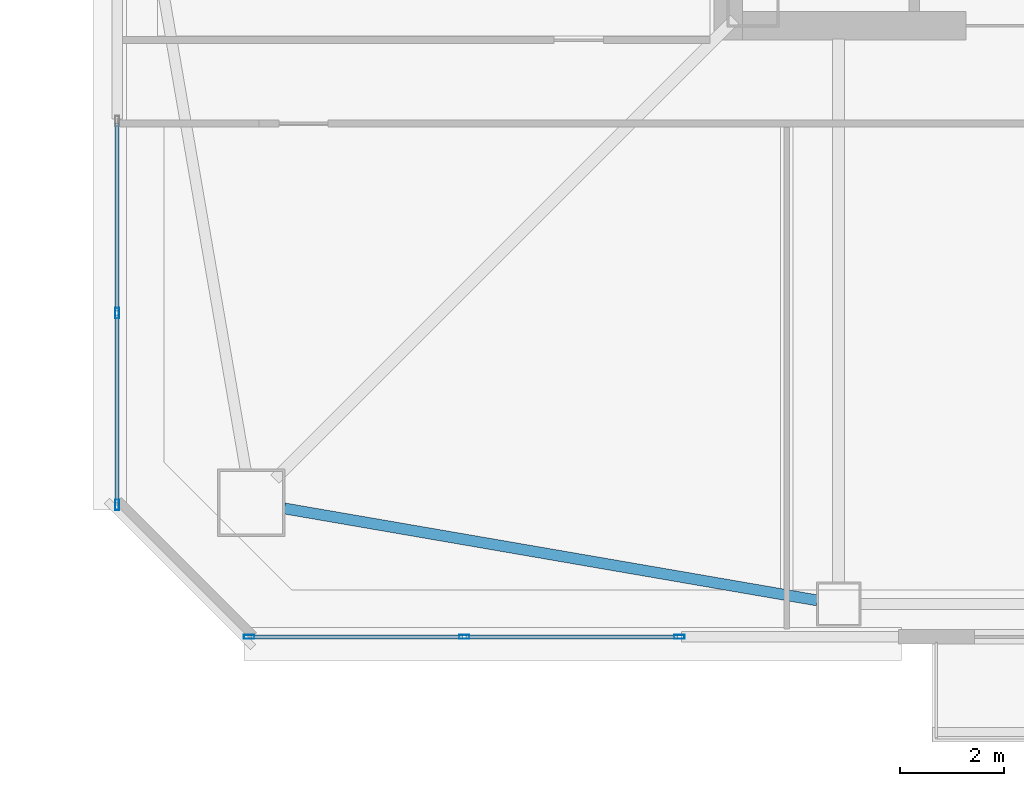
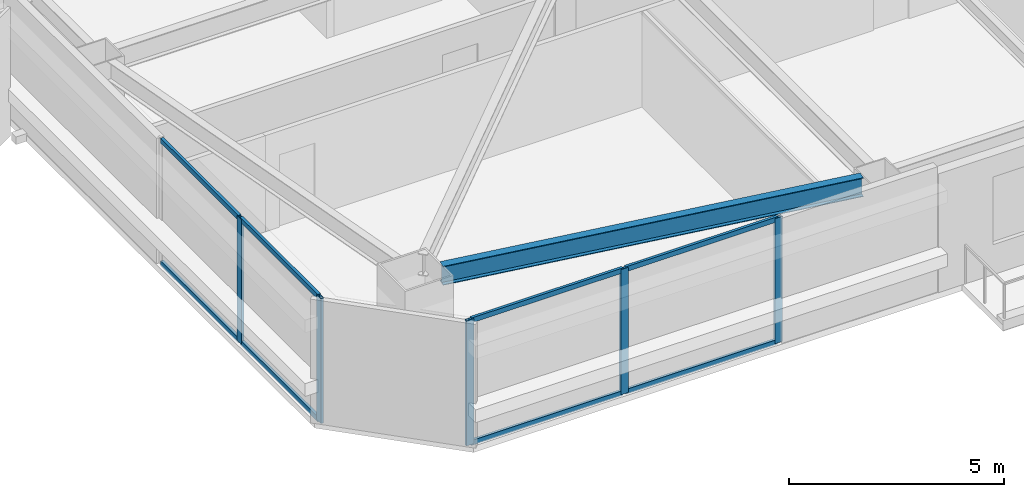
# One storey, part 3 of 48: 13 members, 1 beam, 2 elements without a shape of their own.
"""IFC4 building model written with IfcOpenShell, lengths in metres."""

from ifc_helpers import new_model, si_unit, direction, frame, origin, origin_2d, place, context, subcontext, project, spatial, hollow_rectangle, i_section, extrude, material, material_profile, profile_set, type_object, element, aggregate, save


model = new_model("IFC4")

# Units and contexts
model_context = context("Model", 3, precision=1e-05, world=origin(), true_north=direction((0.0, 1.0)))
body_context = subcontext(model_context, "Body", "Model", "MODEL_VIEW")
ifc_project = project(units=[si_unit("LENGTHUNIT", "METRE"), si_unit("AREAUNIT", "SQUARE_METRE"), si_unit("VOLUMEUNIT", "CUBIC_METRE"), si_unit("PLANEANGLEUNIT", "RADIAN"), si_unit("MASSUNIT", "GRAM", prefix="KILO")], contexts=[model_context])

# Site, building, storey
site_placement = place(None, origin())
site = spatial("IfcSite", under=ifc_project, at=site_placement, CompositionType="ELEMENT")
building_placement = place(site_placement, origin())
building = spatial("IfcBuilding", under=site, at=building_placement, Name="Tashvorn Skyway Center", CompositionType="ELEMENT")
storey_placement = place(building_placement, frame((0.0, 0.0, 125.050048828125)))
storey = spatial("IfcBuildingStorey", under=building, at=storey_placement, Name="L33", CompositionType="ELEMENT", Elevation=125.050048828125)

# Beam
ifc_material_1 = material(Name="Steel ASTM A992 Grade 50", Category="steel")
ifc_material_profile_1 = material_profile(ifc_material_1, i_section(OverallWidth=0.2109375, OverallDepth=0.5390625, WebThickness=0.01171875, FlangeThickness=0.018798828125, at=origin_2d()), Name="W21X73")
ifc_profile_set_1 = profile_set([ifc_material_profile_1], Name="Steel ASTM A992 Grade 50")
beam_type = type_object("IfcBeamType", Name="BM-SPANDREL-W21X73", PredefinedType="SPANDREL", material=ifc_profile_set_1)
beam_placement = place(storey_placement, frame((25.935546875, 15.1904296875, 3.100341796875), z_axis=(0.985432458462, -0.170067250846, 0.0), x_axis=(0.170067250846, 0.985432458462, 0.0)))
element("IfcBeam", 1, at=beam_placement, inside=storey, type_object=beam_type, Name="Tower 1 L33 Spandrel Beam 01", PredefinedType="SPANDREL", context=body_context, shape_type="SweptSolid", body=[
    extrude(i_section(OverallWidth=0.2109375, OverallDepth=0.5390625, WebThickness=0.01171875, FlangeThickness=0.018798828125, at=origin_2d()), origin(), (0.0, 0.0, 1.0), 10.402099609375),
])

# Curtain wall, members
ifc_material_2 = material(Name="Thermally broken bronze-anodized aluminium 6063-T6", Category="aluminium")
curtain_wall_type = type_object("IfcCurtainWallType", Name="CW-CW-Z3", PredefinedType="NOTDEFINED", material=ifc_material_2)
curtain_wall_1_placement = place(storey_placement, origin())
curtain_wall_1 = element("IfcCurtainWall", 2, at=curtain_wall_1_placement, inside=storey, type_object=curtain_wall_type, Name="Tower 1 L33 South Curtain Wall R Glazing Group 1", PredefinedType="NOTDEFINED")
ifc_material_profile_2 = material_profile(ifc_material_2, hollow_rectangle(XDim=0.074951171875, YDim=0.199951171875, WallThickness=0.00439453125, at=origin_2d()), Name="ALU-MULL-75x200")
ifc_profile_set_2 = profile_set([ifc_material_profile_2], Name="Thermally broken bronze-anodized aluminium 6063-T6")
member_type_1 = type_object("IfcMemberType", Name="CWM-CW-Z3", PredefinedType="MULLION", material=ifc_profile_set_2)
member_1_placement = place(storey_placement, frame((33.535888671875, 12.719970703125, 0.0), z_axis=(0.0, 0.0, 1.0), x_axis=(0.0, -1.0, 0.0)))
member_1 = element("IfcMember", 3, at=member_1_placement, type_object=member_type_1, Name="CW-Z3 mullion 1", PredefinedType="MULLION", context=body_context, shape_type="SweptSolid", body=[
    extrude(hollow_rectangle(XDim=0.074951171875, YDim=0.199951171875, WallThickness=0.00439453125, at=origin_2d()), origin(), (0.0, 0.0, 1.0), 3.550048828125),
])
member_2_placement = place(storey_placement, frame((29.396728515625, 12.719970703125, 0.0), z_axis=(0.0, 0.0, 1.0), x_axis=(0.0, -1.0, 0.0)))
member_2 = element("IfcMember", 4, at=member_2_placement, type_object=member_type_1, Name="CW-Z3 mullion 2", PredefinedType="MULLION", context=body_context, shape_type="SweptSolid", body=[
    extrude(hollow_rectangle(XDim=0.074951171875, YDim=0.199951171875, WallThickness=0.00439453125, at=origin_2d()), origin(), (0.0, 0.0, 1.0), 3.550048828125),
])
member_3_placement = place(storey_placement, frame((25.257568359375, 12.719970703125, 0.0), z_axis=(0.0, 0.0, 1.0), x_axis=(0.0, -1.0, 0.0)))
member_3 = element("IfcMember", 5, at=member_3_placement, type_object=member_type_1, Name="CW-Z3 mullion 3", PredefinedType="MULLION", context=body_context, shape_type="SweptSolid", body=[
    extrude(hollow_rectangle(XDim=0.074951171875, YDim=0.199951171875, WallThickness=0.00439453125, at=origin_2d()), origin(), (0.0, 0.0, 1.0), 3.550048828125),
])

curtain_wall_2_placement = place(storey_placement, origin())
curtain_wall_2 = element("IfcCurtainWall", 6, at=curtain_wall_2_placement, inside=storey, type_object=curtain_wall_type, Name="Tower 1 L33 West Unitised Curtain Wall Glazing Group 1", PredefinedType="NOTDEFINED")
member_4_placement = place(storey_placement, frame((22.719970703125, 15.257568359375, 0.0), z_axis=(0.0, 0.0, 1.0), x_axis=(-1.0, 0.0, 0.0)))
member_4 = element("IfcMember", 7, at=member_4_placement, type_object=member_type_1, Name="CW-Z3 mullion 1", PredefinedType="MULLION", context=body_context, shape_type="SweptSolid", body=[
    extrude(hollow_rectangle(XDim=0.074951171875, YDim=0.199951171875, WallThickness=0.00439453125, at=origin_2d()), origin(), (0.0, 0.0, 1.0), 3.550048828125),
])
member_5_placement = place(storey_placement, frame((22.719970703125, 18.948974609375, 0.0), z_axis=(0.0, 0.0, 1.0), x_axis=(-1.0, 0.0, 0.0)))
member_5 = element("IfcMember", 8, at=member_5_placement, type_object=member_type_1, Name="CW-Z3 mullion 2", PredefinedType="MULLION", context=body_context, shape_type="SweptSolid", body=[
    extrude(hollow_rectangle(XDim=0.074951171875, YDim=0.199951171875, WallThickness=0.00439453125, at=origin_2d()), origin(), (0.0, 0.0, 1.0), 3.550048828125),
])

# Member
ifc_material_profile_3 = material_profile(ifc_material_2, hollow_rectangle(XDim=0.074951171875, YDim=0.139892578125, WallThickness=0.004150390625, at=origin_2d()), Name="ALU-TRAN-75x140")
ifc_profile_set_3 = profile_set([ifc_material_profile_3], Name="Thermally broken bronze-anodized aluminium 6063-T6")
member_type_2 = type_object("IfcMemberType", Name="CWT-CW-Z3", PredefinedType="USERDEFINED", material=ifc_profile_set_3)
member_6_placement = place(storey_placement, frame((33.498291015625, 12.719970703125, 0.037353515625), z_axis=(-1.0, 0.0, 0.0), x_axis=(0.0, -1.0, 0.0)))
member_6 = element("IfcMember", 9, at=member_6_placement, type_object=member_type_2, Name="CW-Z3 transom 1.1", ObjectType="TRANSOM", PredefinedType="USERDEFINED", context=body_context, shape_type="SweptSolid", body=[
    extrude(hollow_rectangle(XDim=0.074951171875, YDim=0.139892578125, WallThickness=0.004150390625, at=origin_2d()), origin(), (0.0, 0.0, 1.0), 4.064208984375),
])

member_7_placement = place(storey_placement, frame((33.498291015625, 12.719970703125, 3.512451171875), z_axis=(-1.0, 0.0, 0.0), x_axis=(0.0, -1.0, 0.0)))
member_7 = element("IfcMember", 10, at=member_7_placement, type_object=member_type_2, Name="CW-Z3 transom 1.2", ObjectType="TRANSOM", PredefinedType="USERDEFINED", context=body_context, shape_type="SweptSolid", body=[
    extrude(hollow_rectangle(XDim=0.074951171875, YDim=0.139892578125, WallThickness=0.004150390625, at=origin_2d()), origin(), (0.0, 0.0, 1.0), 4.064208984375),
])

member_8_placement = place(storey_placement, frame((29.359130859375, 12.719970703125, 0.037353515625), z_axis=(-1.0, 0.0, 0.0), x_axis=(0.0, -1.0, 0.0)))
member_8 = element("IfcMember", 11, at=member_8_placement, type_object=member_type_2, Name="CW-Z3 transom 2.1", ObjectType="TRANSOM", PredefinedType="USERDEFINED", context=body_context, shape_type="SweptSolid", body=[
    extrude(hollow_rectangle(XDim=0.074951171875, YDim=0.139892578125, WallThickness=0.004150390625, at=origin_2d()), origin(), (0.0, 0.0, 1.0), 4.064208984375),
])

member_9_placement = place(storey_placement, frame((29.359130859375, 12.719970703125, 3.512451171875), z_axis=(-1.0, 0.0, 0.0), x_axis=(0.0, -1.0, 0.0)))
member_9 = element("IfcMember", 12, at=member_9_placement, type_object=member_type_2, Name="CW-Z3 transom 2.2", ObjectType="TRANSOM", PredefinedType="USERDEFINED", context=body_context, shape_type="SweptSolid", body=[
    extrude(hollow_rectangle(XDim=0.074951171875, YDim=0.139892578125, WallThickness=0.004150390625, at=origin_2d()), origin(), (0.0, 0.0, 1.0), 4.064208984375),
])

aggregate(curtain_wall_1, [member_1, member_2, member_3, member_6, member_7, member_8, member_9])

member_10_placement = place(storey_placement, frame((22.719970703125, 15.294921875, 0.037353515625), z_axis=(0.0, 1.0, 0.0), x_axis=(-1.0, 0.0, 0.0)))
member_10 = element("IfcMember", 13, at=member_10_placement, type_object=member_type_2, Name="CW-Z3 transom 1.1", ObjectType="TRANSOM", PredefinedType="USERDEFINED", context=body_context, shape_type="SweptSolid", body=[
    extrude(hollow_rectangle(XDim=0.074951171875, YDim=0.139892578125, WallThickness=0.004150390625, at=origin_2d()), origin(), (0.0, 0.0, 1.0), 3.616455078125),
])

member_11_placement = place(storey_placement, frame((22.719970703125, 15.294921875, 3.512451171875), z_axis=(0.0, 1.0, 0.0), x_axis=(-1.0, 0.0, 0.0)))
member_11 = element("IfcMember", 14, at=member_11_placement, type_object=member_type_2, Name="CW-Z3 transom 1.2", ObjectType="TRANSOM", PredefinedType="USERDEFINED", context=body_context, shape_type="SweptSolid", body=[
    extrude(hollow_rectangle(XDim=0.074951171875, YDim=0.139892578125, WallThickness=0.004150390625, at=origin_2d()), origin(), (0.0, 0.0, 1.0), 3.616455078125),
])

member_12_placement = place(storey_placement, frame((22.719970703125, 18.986328125, 0.037353515625), z_axis=(0.0, 1.0, 0.0), x_axis=(-1.0, 0.0, 0.0)))
member_12 = element("IfcMember", 15, at=member_12_placement, type_object=member_type_2, Name="CW-Z3 transom 2.1", ObjectType="TRANSOM", PredefinedType="USERDEFINED", context=body_context, shape_type="SweptSolid", body=[
    extrude(hollow_rectangle(XDim=0.074951171875, YDim=0.139892578125, WallThickness=0.004150390625, at=origin_2d()), origin(), (0.0, 0.0, 1.0), 3.616455078125),
])

member_13_placement = place(storey_placement, frame((22.719970703125, 18.986328125, 3.512451171875), z_axis=(0.0, 1.0, 0.0), x_axis=(-1.0, 0.0, 0.0)))
member_13 = element("IfcMember", 16, at=member_13_placement, type_object=member_type_2, Name="CW-Z3 transom 2.2", ObjectType="TRANSOM", PredefinedType="USERDEFINED", context=body_context, shape_type="SweptSolid", body=[
    extrude(hollow_rectangle(XDim=0.074951171875, YDim=0.139892578125, WallThickness=0.004150390625, at=origin_2d()), origin(), (0.0, 0.0, 1.0), 3.616455078125),
])

aggregate(curtain_wall_2, [member_4, member_5, member_10, member_11, member_12, member_13])

save(model, "model.ifc")
